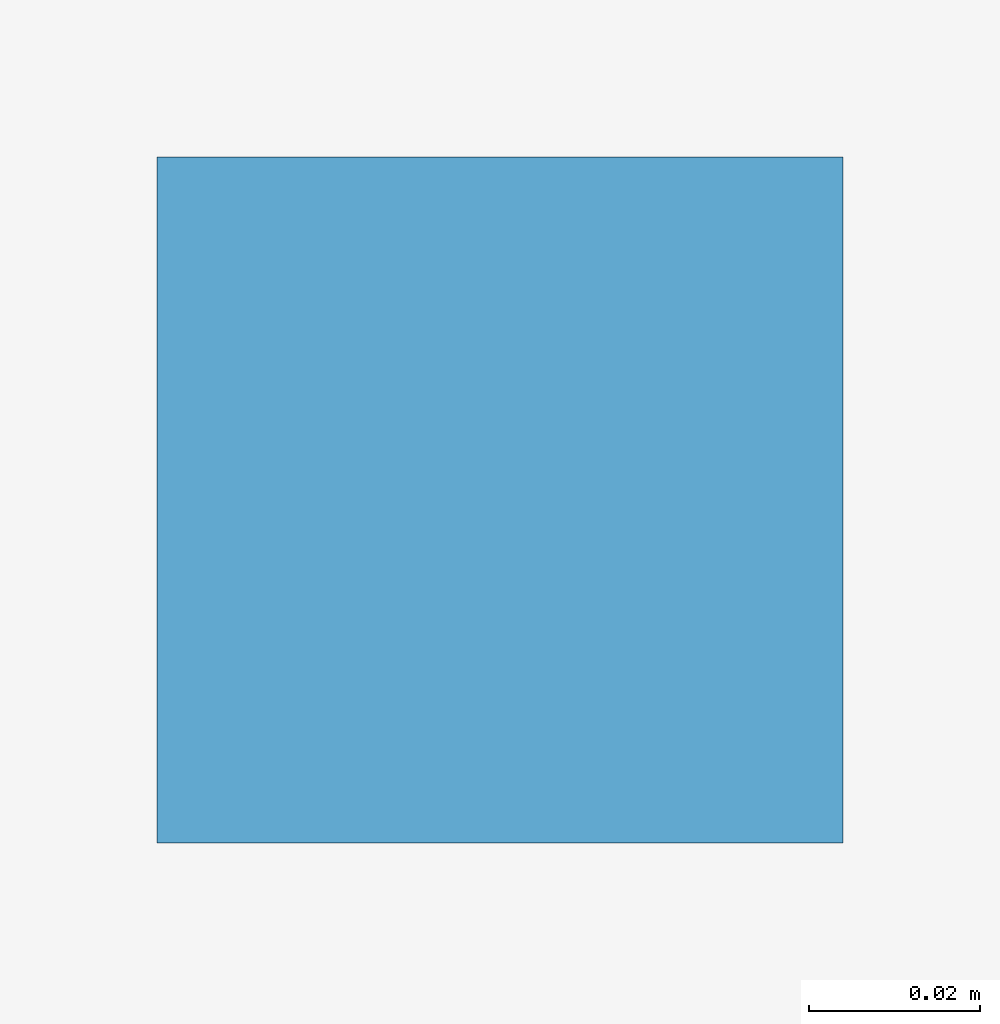
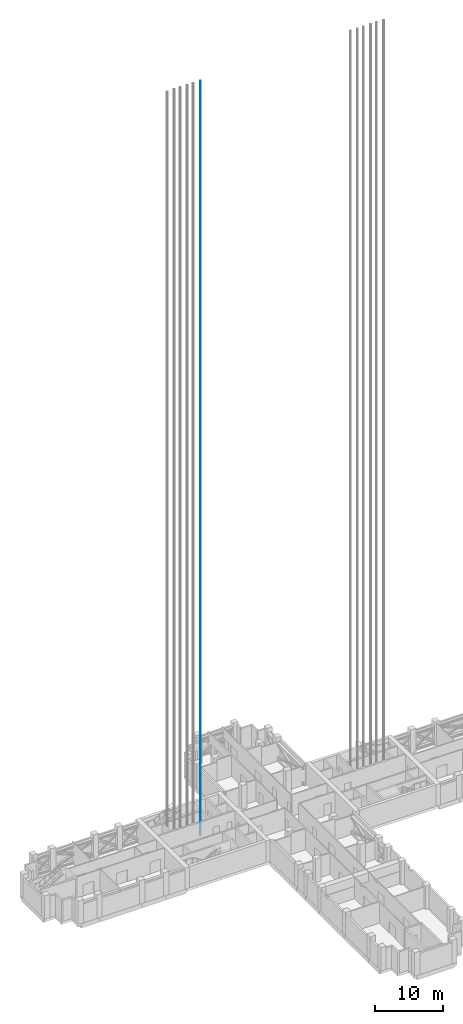
# One storey, part 15 of 22: 1 discrete accessory.
"""IFC4 building model written with IfcOpenShell, lengths in metres."""

from ifc_helpers import new_model, si_unit, direction, frame, origin, origin_2d, place, context, subcontext, project, spatial, rectangle, extrude, material, element, save


model = new_model("IFC4")

# Units and contexts
model_context = context("Model", 3, precision=1e-05, world=origin(), true_north=direction((0.0, 1.0)))
body_context = subcontext(model_context, "Body", "Model", "MODEL_VIEW")
ifc_project = project(units=[si_unit("LENGTHUNIT", "METRE"), si_unit("AREAUNIT", "SQUARE_METRE"), si_unit("VOLUMEUNIT", "CUBIC_METRE"), si_unit("PLANEANGLEUNIT", "RADIAN"), si_unit("MASSUNIT", "GRAM", prefix="KILO")], contexts=[model_context])

# Site, building, storey
site_placement = place(None, origin())
site = spatial("IfcSite", under=ifc_project, at=site_placement, CompositionType="ELEMENT")
building_placement = place(site_placement, origin())
building = spatial("IfcBuilding", under=site, at=building_placement, Name="Fustian Cross Tower", CompositionType="ELEMENT")
storey_placement = place(building_placement, frame((0.0, 0.0, 111.89990234375)))
storey = spatial("IfcBuildingStorey", under=building, at=storey_placement, Name="L35", CompositionType="ELEMENT", Elevation=111.89990234375)

# Discrete accessory
ifc_material = material(Name="Steel S355", Category="steel")
discrete_accessory_placement = place(storey_placement, frame((-12.675048828125, 3.7099609375, 0.0), z_axis=(0.0, 0.0, 1.0), x_axis=(1.0, 0.0, 0.0)))
element("IfcDiscreteAccessory", 1, at=discrete_accessory_placement, inside=storey, material=ifc_material, Name="Lift guide rail HR1W 2", PredefinedType="NOTDEFINED", context=body_context, shape_type="SweptSolid", body=[
    extrude(rectangle(XDim=0.080078125, YDim=0.080078125, at=origin_2d()), origin(), (0.0, 0.0, 1.0), 134.60009765625),
])

save(model, "model.ifc")
